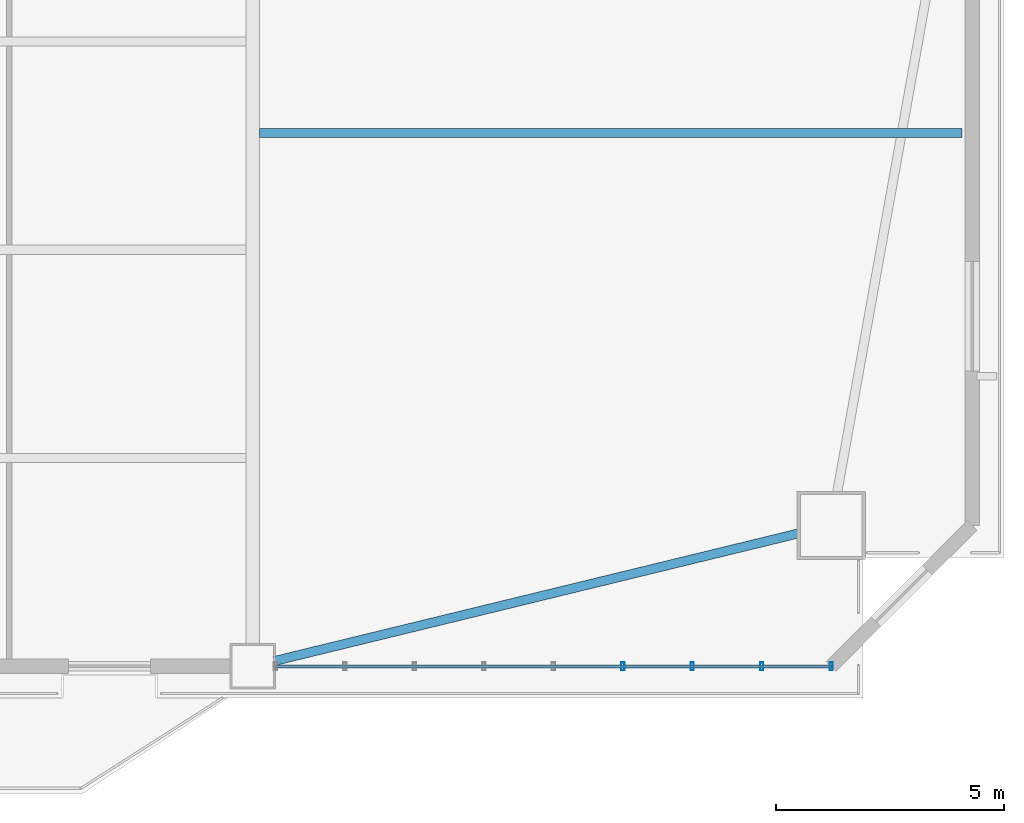
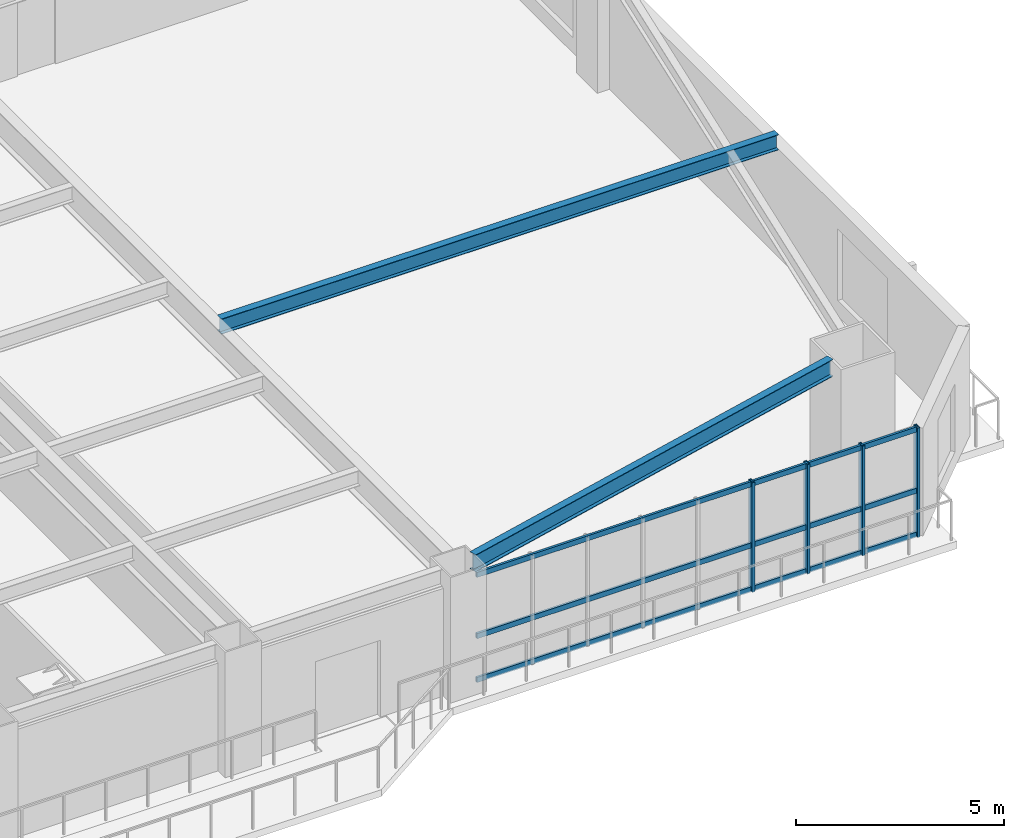
# One storey, part 5 of 16: 7 members, 2 beams, 1 element without a shape of its own.
"""IFC4 building model written with IfcOpenShell, lengths in metres."""

from ifc_helpers import new_model, si_unit, direction, frame, origin, origin_2d, place, context, subcontext, project, spatial, hollow_rectangle, i_section, extrude, source, transform, mapped, material, layer, layer_set, material_profile, profile_set, type_object, element, aggregate, save


model = new_model("IFC4")

# Units and contexts
model_context = context("Model", 3, precision=1e-05, world=origin(), true_north=direction((0.0, 1.0)))
body_context = subcontext(model_context, "Body", "Model", "MODEL_VIEW")
ifc_project = project(units=[si_unit("LENGTHUNIT", "METRE"), si_unit("AREAUNIT", "SQUARE_METRE"), si_unit("VOLUMEUNIT", "CUBIC_METRE"), si_unit("PLANEANGLEUNIT", "RADIAN"), si_unit("MASSUNIT", "GRAM", prefix="KILO")], contexts=[model_context])

# Site, building, storey
site_placement = place(None, origin())
site = spatial("IfcSite", under=ifc_project, at=site_placement, CompositionType="ELEMENT")
building_placement = place(site_placement, origin())
building = spatial("IfcBuilding", under=site, at=building_placement, Name="Giltprow Tower", CompositionType="ELEMENT")
storey_placement = place(building_placement, frame((0.0, 0.0, 79.60009765625)))
storey = spatial("IfcBuildingStorey", under=building, at=storey_placement, Name="L19", CompositionType="ELEMENT", Elevation=79.60009765625)

# Beams
ifc_material_1 = material(Name="Structural steel Q355B", Category="steel")
ifc_material_profile_1 = material_profile(ifc_material_1, i_section(OverallWidth=0.199951171875, OverallDepth=0.5, WebThickness=0.010009765625, FlangeThickness=0.01611328125, at=origin_2d()), Name="HN 500x200x10x16")
ifc_profile_set_1 = profile_set([ifc_material_profile_1], Name="Structural steel Q355B")
beam_type_1 = type_object("IfcBeamType", Name="BM-SPAN-HN500", PredefinedType="SPANDREL", material=ifc_profile_set_1)
shared_shape_1 = source(origin(), body_context, "Body", "SweptSolid", [
    extrude(i_section(OverallWidth=0.199951171875, OverallDepth=0.5, WebThickness=0.010009765625, FlangeThickness=0.01611328125, at=origin_2d()), origin(), (0.0, 0.0, 1.0), 11.866943359375),
])
beam_1_placement = place(storey_placement, frame((51.02099609375, 5.52392578125, 3.429931640625), z_axis=(0.971618674486, 0.236552639787, 0.0), x_axis=(-0.236552639787, 0.971618674486, 0.0)))
element("IfcBeam", 1, at=beam_1_placement, inside=storey, type_object=beam_type_1, Name="L19 Perimeter Spandrel Beam S4-MC_SE", PredefinedType="SPANDREL", context=body_context, shape_type="MappedRepresentation", body=[
    mapped(shared_shape_1, transform((0.0, 0.0, 0.0), x_axis=(1.0, 0.0, 0.0), y_axis=(0.0, 1.0, 0.0), z_axis=(0.0, 0.0, 1.0), scale=1.0)),
])
ifc_material_profile_2 = material_profile(ifc_material_1, i_section(OverallWidth=0.199951171875, OverallDepth=0.449951171875, WebThickness=0.009033203125, FlangeThickness=0.013916015625, at=origin_2d()), Name="HN 450x200x9x14")
ifc_profile_set_2 = profile_set([ifc_material_profile_2], Name="Structural steel Q355B")
beam_type_2 = type_object("IfcBeamType", Name="BM-JOIST-HN450", PredefinedType="JOIST", material=ifc_profile_set_2)
shared_shape_2 = source(origin(), body_context, "Body", "SweptSolid", [
    extrude(i_section(OverallWidth=0.199951171875, OverallDepth=0.449951171875, WebThickness=0.009033203125, FlangeThickness=0.013916015625, at=origin_2d()), origin(), (0.0, 0.0, 1.0), 15.446044921875),
])
beam_2_placement = place(storey_placement, frame((50.695068359375, 17.1298828125, 3.454833984375), z_axis=(1.0, 0.0, 0.0), x_axis=(0.0, 1.0, 0.0)))
element("IfcBeam", 2, at=beam_2_placement, inside=storey, type_object=beam_type_2, Name="L19 East Wing Floor Joist 1", PredefinedType="JOIST", context=body_context, shape_type="MappedRepresentation", body=[
    mapped(shared_shape_2, transform((0.0, 0.0, 0.0), x_axis=(1.0, 0.0, 0.0), y_axis=(0.0, 1.0, 0.0), z_axis=(0.0, 0.0, 1.0), scale=1.0)),
])

# Curtain wall, members
ifc_material_2 = material(Name="Anodized bronze", Category="metal")
ifc_layer = layer(ifc_material_2, 0.179931640625, Name="Anodized bronze")
ifc_layer_set = layer_set([ifc_layer], Name="Anodized bronze")
curtain_wall_type = type_object("IfcCurtainWallType", Name="CW-OFF-RECESSED", PredefinedType="NOTDEFINED", material=ifc_layer_set)
curtain_wall_placement = place(storey_placement, origin())
curtain_wall = element("IfcCurtainWall", 3, at=curtain_wall_placement, inside=storey, type_object=curtain_wall_type, Name="L19 South Recessed Curtain Wall 6", PredefinedType="NOTDEFINED")
ifc_material_profile_3 = material_profile(ifc_material_2, hollow_rectangle(XDim=0.074951171875, YDim=0.179931640625, WallThickness=0.008056640625, at=origin_2d()), Name="RHS 180x75x8")
ifc_profile_set_3 = profile_set([ifc_material_profile_3], Name="Anodized bronze")
member_type_1 = type_object("IfcMemberType", Name="CW-MULLION-180x75", PredefinedType="MULLION", material=ifc_profile_set_3)
shared_shape_3 = source(origin(), body_context, "Body", "SweptSolid", [
    extrude(hollow_rectangle(XDim=0.074951171875, YDim=0.179931640625, WallThickness=0.008056640625, at=origin_2d()), origin(), (0.0, 0.0, 1.0), 3.21484375),
])
member_1_placement = place(storey_placement, frame((58.68408203125, 5.408935546875, -0.02001953125), z_axis=(0.0, 0.0, 1.0), x_axis=(1.0, 0.0, 0.0)))
member_1 = element("IfcMember", 4, at=member_1_placement, type_object=member_type_1, Name="L19 South Recessed Curtain Wall 6 Mullion 6", PredefinedType="MULLION", context=body_context, shape_type="MappedRepresentation", body=[
    mapped(shared_shape_3, transform((0.0, 0.0, 0.0), x_axis=(1.0, 0.0, 0.0), y_axis=(0.0, 1.0, 0.0), z_axis=(0.0, 0.0, 1.0), scale=1.0)),
])
member_2_placement = place(storey_placement, frame((60.2109375, 5.408935546875, -0.02001953125), z_axis=(0.0, 0.0, 1.0), x_axis=(1.0, 0.0, 0.0)))
member_2 = element("IfcMember", 5, at=member_2_placement, type_object=member_type_1, Name="L19 South Recessed Curtain Wall 6 Mullion 7", PredefinedType="MULLION", context=body_context, shape_type="MappedRepresentation", body=[
    mapped(shared_shape_3, transform((0.0, 0.0, 0.0), x_axis=(1.0, 0.0, 0.0), y_axis=(0.0, 1.0, 0.0), z_axis=(0.0, 0.0, 1.0), scale=1.0)),
])
member_3_placement = place(storey_placement, frame((61.738037109375, 5.408935546875, -0.02001953125), z_axis=(0.0, 0.0, 1.0), x_axis=(1.0, 0.0, 0.0)))
member_3 = element("IfcMember", 6, at=member_3_placement, type_object=member_type_1, Name="L19 South Recessed Curtain Wall 6 Mullion 8", PredefinedType="MULLION", context=body_context, shape_type="MappedRepresentation", body=[
    mapped(shared_shape_3, transform((0.0, 0.0, 0.0), x_axis=(1.0, 0.0, 0.0), y_axis=(0.0, 1.0, 0.0), z_axis=(0.0, 0.0, 1.0), scale=1.0)),
])
member_4_placement = place(storey_placement, frame((63.264892578125, 5.408935546875, -0.02001953125), z_axis=(0.0, 0.0, 1.0), x_axis=(1.0, 0.0, 0.0)))
member_4 = element("IfcMember", 7, at=member_4_placement, type_object=member_type_1, Name="L19 South Recessed Curtain Wall 6 Mullion 9", PredefinedType="MULLION", context=body_context, shape_type="MappedRepresentation", body=[
    mapped(shared_shape_3, transform((0.0, 0.0, 0.0), x_axis=(1.0, 0.0, 0.0), y_axis=(0.0, 1.0, 0.0), z_axis=(0.0, 0.0, 1.0), scale=1.0)),
])
ifc_material_profile_4 = material_profile(ifc_material_2, hollow_rectangle(XDim=0.06494140625, YDim=0.14990234375, WallThickness=0.006103515625, at=origin_2d()), Name="RHS 150x65x6")
ifc_profile_set_4 = profile_set([ifc_material_profile_4], Name="Anodized bronze")
member_type_2 = type_object("IfcMemberType", Name="CW-TRANSOM-150x65", PredefinedType="USERDEFINED", material=ifc_profile_set_4)
shared_shape_4 = source(origin(), body_context, "Body", "SweptSolid", [
    extrude(hollow_rectangle(XDim=0.06494140625, YDim=0.14990234375, WallThickness=0.006103515625, at=origin_2d()), origin(), (0.0, 0.0, 1.0), 12.21484375),
])
member_5_placement = place(storey_placement, frame((51.050048828125, 5.408935546875, 0.039794921875), z_axis=(1.0, 0.0, 0.0), x_axis=(0.0, 1.0, 0.0)))
member_5 = element("IfcMember", 8, at=member_5_placement, type_object=member_type_2, Name="L19 South Recessed Curtain Wall 6 Transom 1", ObjectType="TRANSOM", PredefinedType="USERDEFINED", context=body_context, shape_type="MappedRepresentation", body=[
    mapped(shared_shape_4, transform((0.0, 0.0, 0.0), x_axis=(1.0, 0.0, 0.0), y_axis=(0.0, 1.0, 0.0), z_axis=(0.0, 0.0, 1.0), scale=1.0)),
])
member_6_placement = place(storey_placement, frame((51.050048828125, 5.408935546875, 1.326904296875), z_axis=(1.0, 0.0, 0.0), x_axis=(0.0, 1.0, 0.0)))
member_6 = element("IfcMember", 9, at=member_6_placement, type_object=member_type_2, Name="L19 South Recessed Curtain Wall 6 Transom 2", ObjectType="TRANSOM", PredefinedType="USERDEFINED", context=body_context, shape_type="MappedRepresentation", body=[
    mapped(shared_shape_4, transform((0.0, 0.0, 0.0), x_axis=(1.0, 0.0, 0.0), y_axis=(0.0, 1.0, 0.0), z_axis=(0.0, 0.0, 1.0), scale=1.0)),
])
member_7_placement = place(storey_placement, frame((51.050048828125, 5.408935546875, 3.119873046875), z_axis=(1.0, 0.0, 0.0), x_axis=(0.0, 1.0, 0.0)))
member_7 = element("IfcMember", 10, at=member_7_placement, type_object=member_type_2, Name="L19 South Recessed Curtain Wall 6 Transom 3", ObjectType="TRANSOM", PredefinedType="USERDEFINED", context=body_context, shape_type="MappedRepresentation", body=[
    mapped(shared_shape_4, transform((0.0, 0.0, 0.0), x_axis=(1.0, 0.0, 0.0), y_axis=(0.0, 1.0, 0.0), z_axis=(0.0, 0.0, 1.0), scale=1.0)),
])
aggregate(curtain_wall, [member_1, member_2, member_3, member_4, member_5, member_6, member_7])

save(model, "model.ifc")
